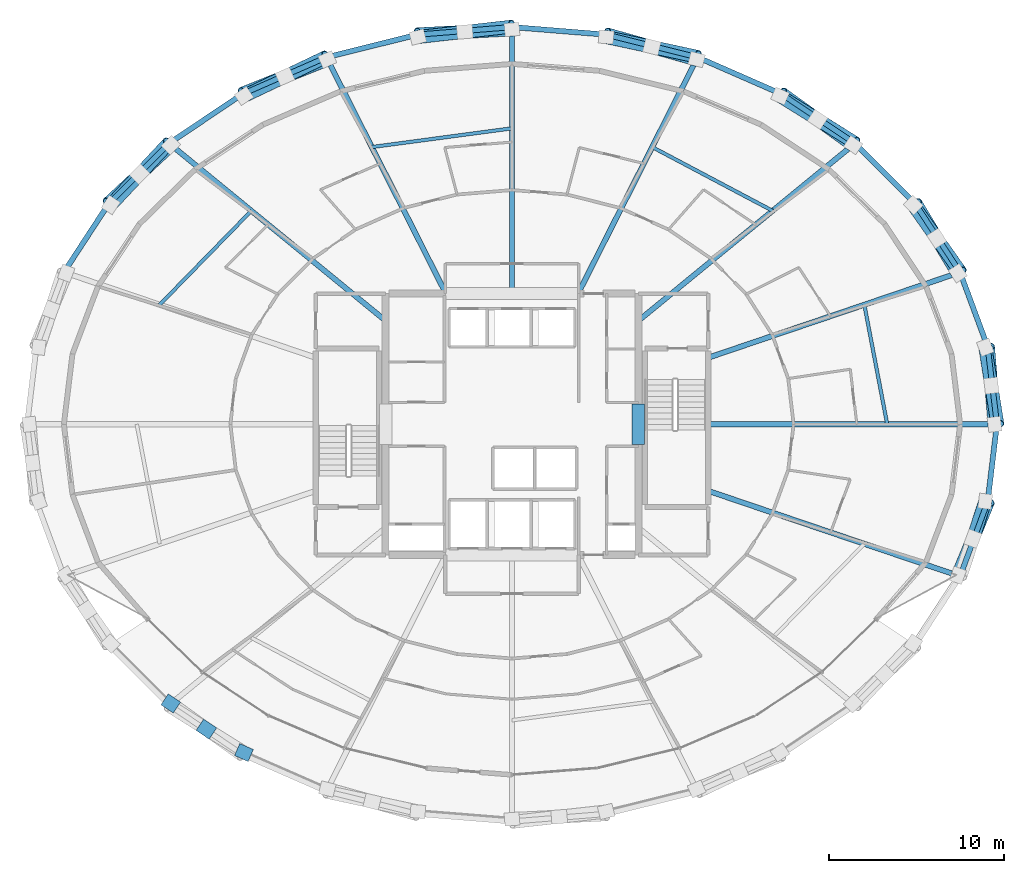
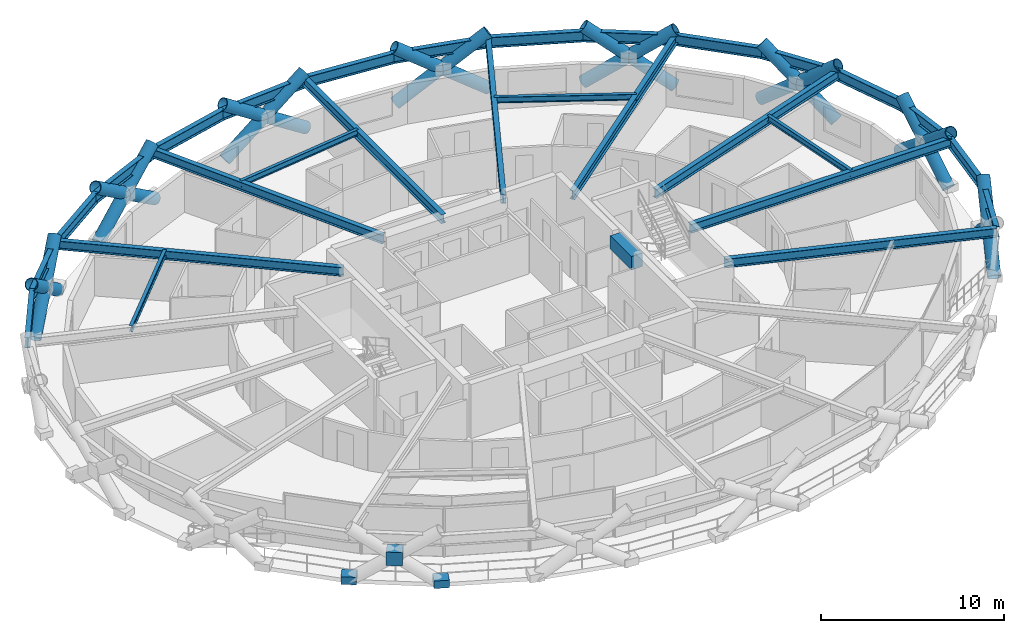
# One storey, part 9 of 17: 29 beams, 23 members, 3 plates.
"""IFC4 building model written with IfcOpenShell, lengths in metres."""

from ifc_helpers import new_model, si_unit, direction, frame, origin, origin_2d, place, context, subcontext, project, spatial, rectangle, hollow_circle, i_section, extrude, material, layer, layer_set, material_profile, profile_set, type_object, element, save


model = new_model("IFC4")

# Units and contexts
model_context = context("Model", 3, precision=1e-05, world=origin(), true_north=direction((0.0, 1.0)))
body_context = subcontext(model_context, "Body", "Model", "MODEL_VIEW")
ifc_project = project(units=[si_unit("LENGTHUNIT", "METRE"), si_unit("AREAUNIT", "SQUARE_METRE"), si_unit("VOLUMEUNIT", "CUBIC_METRE"), si_unit("PLANEANGLEUNIT", "RADIAN"), si_unit("MASSUNIT", "GRAM", prefix="KILO")], contexts=[model_context])

# Site, building, storey
site_placement = place(None, origin())
site = spatial("IfcSite", under=ifc_project, at=site_placement, CompositionType="ELEMENT")
building_placement = place(site_placement, origin())
building = spatial("IfcBuilding", under=site, at=building_placement, Name="Veldorina Hangang Commons", CompositionType="ELEMENT")
storey_placement = place(building_placement, frame((0.0, 0.0, 30.39990234375)))
storey = spatial("IfcBuildingStorey", under=building, at=storey_placement, Name="L06", CompositionType="ELEMENT", Elevation=30.39990234375)

# Beams
ifc_material_1 = material(Name="Concrete C70/85", Category="concrete")
ifc_material_profile_1 = material_profile(ifc_material_1, rectangle(XDim=0.699951171875, YDim=0.89990234375, at=origin_2d()), Name="RC-CB-700x900")
ifc_profile_set_1 = profile_set([ifc_material_profile_1], Name="Concrete C70/85")
beam_type_1 = type_object("IfcBeamType", Name="BM-CB900", PredefinedType="LINTEL", material=ifc_profile_set_1)
beam_1_placement = place(storey_placement, frame((39.199951171875, 22.85009765625, 2.89013671875), z_axis=(0.0, 1.0, 0.0), x_axis=(-1.0, 0.0, 0.0)))
element("IfcBeam", 1, at=beam_1_placement, inside=storey, type_object=beam_type_1, Name="L06 E core coupling lintel beam", PredefinedType="LINTEL", context=body_context, shape_type="SweptSolid", body=[
    extrude(rectangle(XDim=0.699951171875, YDim=0.89990234375, at=origin_2d()), origin(), (0.0, 0.0, 1.0), 2.2998046875),
])
ifc_material_2 = material(Name="Steel SM460-TMC", Category="steel")
ifc_material_profile_2 = material_profile(ifc_material_2, i_section(OverallWidth=0.300048828125, OverallDepth=0.587890625, WebThickness=0.011962890625, FlangeThickness=0.02001953125, FilletRadius=0.01806640625, at=origin_2d()), Name="H-588x300x12x20")
ifc_profile_set_2 = profile_set([ifc_material_profile_2], Name="Steel SM460-TMC")
beam_type_2 = type_object("IfcBeamType", Name="BM-FG588", PredefinedType="BEAM", material=ifc_profile_set_2)
beam_2_placement = place(storey_placement, frame((43.179931640625, 24.0, 3.046142578125), z_axis=(1.0, 0.0, 0.0), x_axis=(0.0, 1.0, 0.0)))
element("IfcBeam", 2, at=beam_2_placement, inside=storey, type_object=beam_type_2, Name="L06 radial floor girder 01", PredefinedType="BEAM", context=body_context, shape_type="SweptSolid", body=[
    extrude(i_section(OverallWidth=0.300048828125, OverallDepth=0.587890625, WebThickness=0.011962890625, FlangeThickness=0.02001953125, FilletRadius=0.01806640625, at=origin_2d()), origin(), (0.0, 0.0, 1.0), 16.45947265625),
])
beam_3_placement = place(storey_placement, frame((43.179931640625, 27.793212890625, 3.046142578125), z_axis=(0.946978700315, 0.32129634475, 0.0), x_axis=(-0.32129634475, 0.946978700315, 0.0)))
element("IfcBeam", 3, at=beam_3_placement, inside=storey, type_object=beam_type_2, Name="L06 radial floor girder 02", PredefinedType="BEAM", context=body_context, shape_type="SweptSolid", body=[
    extrude(i_section(OverallWidth=0.300048828125, OverallDepth=0.587890625, WebThickness=0.011962890625, FlangeThickness=0.02001953125, FilletRadius=0.01806640625, at=origin_2d()), origin(), (0.0, 0.0, 1.0), 15.1591796875),
])
beam_4_placement = place(storey_placement, frame((39.199951171875, 29.8974609375, 3.046142578125), z_axis=(0.773611564766, 0.633660119354, 0.0), x_axis=(-0.633660119354, 0.773611564766, 0.0)))
element("IfcBeam", 4, at=beam_4_placement, inside=storey, type_object=beam_type_2, Name="L06 radial floor girder 03", PredefinedType="BEAM", context=body_context, shape_type="SweptSolid", body=[
    extrude(i_section(OverallWidth=0.300048828125, OverallDepth=0.587890625, WebThickness=0.011962890625, FlangeThickness=0.02001953125, FilletRadius=0.01806640625, at=origin_2d()), origin(), (0.0, 0.0, 1.0), 15.95654296875),
])
beam_5_placement = place(storey_placement, frame((35.767333984375, 31.449951171875, 3.046142578125), z_axis=(0.451279589077, 0.89238261552, 0.0), x_axis=(-0.89238261552, 0.451279589077, 0.0)))
element("IfcBeam", 5, at=beam_5_placement, inside=storey, type_object=beam_type_2, Name="L06 radial floor girder 04", PredefinedType="BEAM", context=body_context, shape_type="SweptSolid", body=[
    extrude(i_section(OverallWidth=0.300048828125, OverallDepth=0.587890625, WebThickness=0.011962890625, FlangeThickness=0.02001953125, FilletRadius=0.01806640625, at=origin_2d()), origin(), (0.0, 0.0, 1.0), 15.090087890625),
])
beam_6_placement = place(storey_placement, frame((32.0, 31.449951171875, 3.046142578125), z_axis=(0.0, 1.0, 0.0), x_axis=(-1.0, 0.0, 0.0)))
element("IfcBeam", 6, at=beam_6_placement, inside=storey, type_object=beam_type_2, Name="L06 radial floor girder 05", PredefinedType="BEAM", context=body_context, shape_type="SweptSolid", body=[
    extrude(i_section(OverallWidth=0.300048828125, OverallDepth=0.587890625, WebThickness=0.011962890625, FlangeThickness=0.02001953125, FilletRadius=0.01806640625, at=origin_2d()), origin(), (0.0, 0.0, 1.0), 15.189453125),
])
beam_7_placement = place(storey_placement, frame((28.232666015625, 31.449951171875, 3.046142578125), z_axis=(-0.451279589077, 0.89238261552, 0.0), x_axis=(-0.89238261552, -0.451279589077, 0.0)))
element("IfcBeam", 7, at=beam_7_placement, inside=storey, type_object=beam_type_2, Name="L06 radial floor girder 06", PredefinedType="BEAM", context=body_context, shape_type="SweptSolid", body=[
    extrude(i_section(OverallWidth=0.300048828125, OverallDepth=0.587890625, WebThickness=0.011962890625, FlangeThickness=0.02001953125, FilletRadius=0.01806640625, at=origin_2d()), origin(), (0.0, 0.0, 1.0), 15.090087890625),
])
beam_8_placement = place(storey_placement, frame((24.800048828125, 29.8974609375, 3.046142578125), z_axis=(-0.773611564766, 0.633660119354, 0.0), x_axis=(-0.633660119354, -0.773611564766, 0.0)))
element("IfcBeam", 8, at=beam_8_placement, inside=storey, type_object=beam_type_2, Name="L06 radial floor girder 07", PredefinedType="BEAM", context=body_context, shape_type="SweptSolid", body=[
    extrude(i_section(OverallWidth=0.300048828125, OverallDepth=0.587890625, WebThickness=0.011962890625, FlangeThickness=0.02001953125, FilletRadius=0.01806640625, at=origin_2d()), origin(), (0.0, 0.0, 1.0), 15.95654296875),
])
beam_9_placement = place(storey_placement, frame((43.179931640625, 20.206787109375, 3.046142578125), z_axis=(0.946978700315, -0.32129634475, 0.0), x_axis=(0.32129634475, 0.946978700315, 0.0)))
element("IfcBeam", 9, at=beam_9_placement, inside=storey, type_object=beam_type_2, Name="L06 radial floor girder 16", PredefinedType="BEAM", context=body_context, shape_type="SweptSolid", body=[
    extrude(i_section(OverallWidth=0.300048828125, OverallDepth=0.587890625, WebThickness=0.011962890625, FlangeThickness=0.02001953125, FilletRadius=0.01806640625, at=origin_2d()), origin(), (0.0, 0.0, 1.0), 15.1591796875),
])
ifc_material_3 = material(Name="Steel SM355-TMC", Category="steel")
ifc_material_profile_3 = material_profile(ifc_material_3, i_section(OverallWidth=0.199951171875, OverallDepth=0.39990234375, WebThickness=0.008056640625, FlangeThickness=0.012939453125, FilletRadius=0.012939453125, at=origin_2d()), Name="H-400x200x8x13")
ifc_profile_set_3 = profile_set([ifc_material_profile_3], Name="Steel SM355-TMC")
beam_type_3 = type_object("IfcBeamType", Name="BM-JST400", PredefinedType="JOIST", material=ifc_profile_set_3)
beam_10_placement = place(storey_placement, frame((53.385009765625, 24.0, 3.14013671875), z_axis=(-0.188082383593, 0.982153255344, 0.0), x_axis=(-0.982153255344, -0.188082383593, 0.0)))
element("IfcBeam", 10, at=beam_10_placement, inside=storey, type_object=beam_type_3, Name="L06 secondary floor joist 01", PredefinedType="JOIST", context=body_context, shape_type="SweptSolid", body=[
    extrude(i_section(OverallWidth=0.199951171875, OverallDepth=0.39990234375, WebThickness=0.008056640625, FlangeThickness=0.012939453125, FilletRadius=0.012939453125, at=origin_2d()), origin(), (0.0, 0.0, 1.0), 6.936767578125),
])
beam_11_placement = place(storey_placement, frame((46.853271484375, 36.166259765625, 3.14013671875), z_axis=(-0.883838381395, 0.467792385116, 0.0), x_axis=(-0.467792385116, -0.883838381395, 0.0)))
element("IfcBeam", 11, at=beam_11_placement, inside=storey, type_object=beam_type_3, Name="L06 secondary floor joist 03", PredefinedType="JOIST", context=body_context, shape_type="SweptSolid", body=[
    extrude(i_section(OverallWidth=0.199951171875, OverallDepth=0.39990234375, WebThickness=0.008056640625, FlangeThickness=0.012939453125, FilletRadius=0.012939453125, at=origin_2d()), origin(), (0.0, 0.0, 1.0), 7.765869140625),
])
beam_12_placement = place(storey_placement, frame((32.0, 40.867431640625, 3.14013671875), z_axis=(-0.991177569305, -0.132540658313, 0.0), x_axis=(0.132540658313, -0.991177569305, 0.0)))
element("IfcBeam", 12, at=beam_12_placement, inside=storey, type_object=beam_type_3, Name="L06 secondary floor joist 05", PredefinedType="JOIST", context=body_context, shape_type="SweptSolid", body=[
    extrude(i_section(OverallWidth=0.199951171875, OverallDepth=0.39990234375, WebThickness=0.008056640625, FlangeThickness=0.012939453125, FilletRadius=0.012939453125, at=origin_2d()), origin(), (0.0, 0.0, 1.0), 8.060546875),
])
beam_13_placement = place(storey_placement, frame((17.146728515625, 36.166259765625, 3.14013671875), z_axis=(-0.698621455298, -0.715491482967, 0.0), x_axis=(0.715491482967, -0.698621455298, 0.0)))
element("IfcBeam", 13, at=beam_13_placement, inside=storey, type_object=beam_type_3, Name="L06 secondary floor joist 07", PredefinedType="JOIST", context=body_context, shape_type="SweptSolid", body=[
    extrude(i_section(OverallWidth=0.199951171875, OverallDepth=0.39990234375, WebThickness=0.008056640625, FlangeThickness=0.012939453125, FilletRadius=0.012939453125, at=origin_2d()), origin(), (0.0, 0.0, 1.0), 7.48193359375),
])
ifc_material_profile_4 = material_profile(ifc_material_2, i_section(OverallWidth=0.300048828125, OverallDepth=0.699951171875, WebThickness=0.012939453125, FlangeThickness=0.02392578125, FilletRadius=0.02197265625, at=origin_2d()), Name="H-700x300x13x24")
ifc_profile_set_4 = profile_set([ifc_material_profile_4], Name="Steel SM460-TMC")
beam_type_4 = type_object("IfcBeamType", Name="BM-RB700", PredefinedType="BEAM", material=ifc_profile_set_4)
beam_14_placement = place(storey_placement, frame((59.639404296875, 24.0, 2.989990234375), z_axis=(-0.119365953147, 0.992850325693, 0.0), x_axis=(-0.992850325693, -0.119365953147, 0.0)))
element("IfcBeam", 14, at=beam_14_placement, inside=storey, type_object=beam_type_4, Name="L06 perimeter hoop ring beam 00", PredefinedType="BEAM", context=body_context, shape_type="SweptSolid", body=[
    extrude(i_section(OverallWidth=0.300048828125, OverallDepth=0.699951171875, WebThickness=0.012939453125, FlangeThickness=0.02392578125, FilletRadius=0.02197265625, at=origin_2d()), origin(), (0.0, 0.0, 1.0), 4.448486328125),
])
beam_15_placement = place(storey_placement, frame((59.1083984375, 28.416748046875, 2.989990234375), z_axis=(-0.347316111506, 0.937748110469, 0.0), x_axis=(-0.937748110469, -0.347316111506, 0.0)))
element("IfcBeam", 15, at=beam_15_placement, inside=storey, type_object=beam_type_4, Name="L06 perimeter hoop ring beam 01", PredefinedType="BEAM", context=body_context, shape_type="SweptSolid", body=[
    extrude(i_section(OverallWidth=0.300048828125, OverallDepth=0.699951171875, WebThickness=0.012939453125, FlangeThickness=0.02392578125, FilletRadius=0.02197265625, at=origin_2d()), origin(), (0.0, 0.0, 1.0), 4.529052734375),
])
beam_16_placement = place(storey_placement, frame((57.535400390625, 32.663818359375, 2.989990234375), z_axis=(-0.546500399865, 0.837458842539, 0.0), x_axis=(-0.837458842539, -0.546500399865, 0.0)))
element("IfcBeam", 16, at=beam_16_placement, inside=storey, type_object=beam_type_4, Name="L06 perimeter hoop ring beam 02", PredefinedType="BEAM", context=body_context, shape_type="SweptSolid", body=[
    extrude(i_section(OverallWidth=0.300048828125, OverallDepth=0.699951171875, WebThickness=0.012939453125, FlangeThickness=0.02392578125, FilletRadius=0.02197265625, at=origin_2d()), origin(), (0.0, 0.0, 1.0), 4.673828125),
])
beam_17_placement = place(storey_placement, frame((54.981201171875, 36.577880859375, 2.989990234375), z_axis=(-0.707760043615, 0.706452914681, 0.0), x_axis=(-0.706452914681, -0.707760043615, 0.0)))
element("IfcBeam", 17, at=beam_17_placement, inside=storey, type_object=beam_type_4, Name="L06 perimeter hoop ring beam 03", PredefinedType="BEAM", context=body_context, shape_type="SweptSolid", body=[
    extrude(i_section(OverallWidth=0.300048828125, OverallDepth=0.699951171875, WebThickness=0.012939453125, FlangeThickness=0.02392578125, FilletRadius=0.02197265625, at=origin_2d()), origin(), (0.0, 0.0, 1.0), 4.856201171875),
])
beam_18_placement = place(storey_placement, frame((51.544189453125, 40.008544921875, 2.989990234375), z_axis=(-0.829930615335, 0.557866627188, 0.0), x_axis=(-0.557866627188, -0.829930615335, 0.0)))
element("IfcBeam", 18, at=beam_18_placement, inside=storey, type_object=beam_type_4, Name="L06 perimeter hoop ring beam 04", PredefinedType="BEAM", context=body_context, shape_type="SweptSolid", body=[
    extrude(i_section(OverallWidth=0.300048828125, OverallDepth=0.699951171875, WebThickness=0.012939453125, FlangeThickness=0.02392578125, FilletRadius=0.02197265625, at=origin_2d()), origin(), (0.0, 0.0, 1.0), 5.046875),
])
beam_19_placement = place(storey_placement, frame((47.355712890625, 42.823974609375, 2.989990234375), z_axis=(-0.916057410829, 0.401047154416, 0.0), x_axis=(-0.401047154416, -0.916057410829, 0.0)))
element("IfcBeam", 19, at=beam_19_placement, inside=storey, type_object=beam_type_4, Name="L06 perimeter hoop ring beam 05", PredefinedType="BEAM", context=body_context, shape_type="SweptSolid", body=[
    extrude(i_section(OverallWidth=0.300048828125, OverallDepth=0.699951171875, WebThickness=0.012939453125, FlangeThickness=0.02392578125, FilletRadius=0.02197265625, at=origin_2d()), origin(), (0.0, 0.0, 1.0), 5.216552734375),
])
beam_20_placement = place(storey_placement, frame((42.5771484375, 44.916015625, 2.989990234375), z_axis=(-0.970490932958, 0.241137614334, 0.0), x_axis=(-0.241137614334, -0.970490932958, 0.0)))
element("IfcBeam", 20, at=beam_20_placement, inside=storey, type_object=beam_type_4, Name="L06 perimeter hoop ring beam 06", PredefinedType="BEAM", context=body_context, shape_type="SweptSolid", body=[
    extrude(i_section(OverallWidth=0.300048828125, OverallDepth=0.699951171875, WebThickness=0.012939453125, FlangeThickness=0.02392578125, FilletRadius=0.02197265625, at=origin_2d()), origin(), (0.0, 0.0, 1.0), 5.3427734375),
])
for number, where, z_axis, x_axis, name in (
    (21, (37.39208984375, 46.204345703125, 2.989990234375), (-0.996760804766, 0.080423243416, 0.0), (-0.080423243416, -0.996760804766, 0.0), "L06 perimeter hoop ring beam 07"),
    (22, (32.0, 46.639404296875, 2.989990234375), (-0.996760804766, -0.080423243416, 0.0), (0.080423243416, -0.996760804766, 0.0), "L06 perimeter hoop ring beam 08"),
):
    element("IfcBeam", number, at=place(storey_placement, frame(where, z_axis=z_axis, x_axis=x_axis)), inside=storey, type_object=beam_type_4, Name=name, PredefinedType="BEAM", context=body_context, shape_type="SweptSolid", body=[
        extrude(i_section(OverallWidth=0.300048828125, OverallDepth=0.699951171875, WebThickness=0.012939453125, FlangeThickness=0.02392578125, FilletRadius=0.02197265625, at=origin_2d()), origin(), (0.0, 0.0, 1.0), 5.40966796875),
    ])
beam_21_placement = place(storey_placement, frame((26.60791015625, 46.204345703125, 2.989990234375), z_axis=(-0.970490932958, -0.241137614334, 0.0), x_axis=(0.241137614334, -0.970490932958, 0.0)))
element("IfcBeam", 23, at=beam_21_placement, inside=storey, type_object=beam_type_4, Name="L06 perimeter hoop ring beam 09", PredefinedType="BEAM", context=body_context, shape_type="SweptSolid", body=[
    extrude(i_section(OverallWidth=0.300048828125, OverallDepth=0.699951171875, WebThickness=0.012939453125, FlangeThickness=0.02392578125, FilletRadius=0.02197265625, at=origin_2d()), origin(), (0.0, 0.0, 1.0), 5.3427734375),
])
beam_22_placement = place(storey_placement, frame((21.4228515625, 44.916015625, 2.989990234375), z_axis=(-0.916057410829, -0.401047154416, 0.0), x_axis=(0.401047154416, -0.916057410829, 0.0)))
element("IfcBeam", 24, at=beam_22_placement, inside=storey, type_object=beam_type_4, Name="L06 perimeter hoop ring beam 10", PredefinedType="BEAM", context=body_context, shape_type="SweptSolid", body=[
    extrude(i_section(OverallWidth=0.300048828125, OverallDepth=0.699951171875, WebThickness=0.012939453125, FlangeThickness=0.02392578125, FilletRadius=0.02197265625, at=origin_2d()), origin(), (0.0, 0.0, 1.0), 5.216552734375),
])
beam_23_placement = place(storey_placement, frame((16.644287109375, 42.823974609375, 2.989990234375), z_axis=(-0.829930615335, -0.557866627188, 0.0), x_axis=(0.557866627188, -0.829930615335, 0.0)))
element("IfcBeam", 25, at=beam_23_placement, inside=storey, type_object=beam_type_4, Name="L06 perimeter hoop ring beam 11", PredefinedType="BEAM", context=body_context, shape_type="SweptSolid", body=[
    extrude(i_section(OverallWidth=0.300048828125, OverallDepth=0.699951171875, WebThickness=0.012939453125, FlangeThickness=0.02392578125, FilletRadius=0.02197265625, at=origin_2d()), origin(), (0.0, 0.0, 1.0), 5.046875),
])
beam_24_placement = place(storey_placement, frame((12.455810546875, 40.008544921875, 2.989990234375), z_axis=(-0.707760043615, -0.706452914681, 0.0), x_axis=(0.706452914681, -0.707760043615, 0.0)))
element("IfcBeam", 26, at=beam_24_placement, inside=storey, type_object=beam_type_4, Name="L06 perimeter hoop ring beam 12", PredefinedType="BEAM", context=body_context, shape_type="SweptSolid", body=[
    extrude(i_section(OverallWidth=0.300048828125, OverallDepth=0.699951171875, WebThickness=0.012939453125, FlangeThickness=0.02392578125, FilletRadius=0.02197265625, at=origin_2d()), origin(), (0.0, 0.0, 1.0), 4.856201171875),
])
beam_25_placement = place(storey_placement, frame((9.018798828125, 36.577880859375, 2.989990234375), z_axis=(-0.546500399865, -0.837458842539, 0.0), x_axis=(0.837458842539, -0.546500399865, 0.0)))
element("IfcBeam", 27, at=beam_25_placement, inside=storey, type_object=beam_type_4, Name="L06 perimeter hoop ring beam 13", PredefinedType="BEAM", context=body_context, shape_type="SweptSolid", body=[
    extrude(i_section(OverallWidth=0.300048828125, OverallDepth=0.699951171875, WebThickness=0.012939453125, FlangeThickness=0.02392578125, FilletRadius=0.02197265625, at=origin_2d()), origin(), (0.0, 0.0, 1.0), 4.673828125),
])
beam_26_placement = place(storey_placement, frame((57.535400390625, 15.336181640625, 2.989990234375), z_axis=(0.347316111506, 0.937748110469, 0.0), x_axis=(-0.937748110469, 0.347316111506, 0.0)))
element("IfcBeam", 28, at=beam_26_placement, inside=storey, type_object=beam_type_4, Name="L06 perimeter hoop ring beam 30", PredefinedType="BEAM", context=body_context, shape_type="SweptSolid", body=[
    extrude(i_section(OverallWidth=0.300048828125, OverallDepth=0.699951171875, WebThickness=0.012939453125, FlangeThickness=0.02392578125, FilletRadius=0.02197265625, at=origin_2d()), origin(), (0.0, 0.0, 1.0), 4.529052734375),
])
beam_27_placement = place(storey_placement, frame((59.1083984375, 19.583251953125, 2.989990234375), z_axis=(0.119365953147, 0.992850325693, 0.0), x_axis=(-0.992850325693, 0.119365953147, 0.0)))
element("IfcBeam", 29, at=beam_27_placement, inside=storey, type_object=beam_type_4, Name="L06 perimeter hoop ring beam 31", PredefinedType="BEAM", context=body_context, shape_type="SweptSolid", body=[
    extrude(i_section(OverallWidth=0.300048828125, OverallDepth=0.699951171875, WebThickness=0.012939453125, FlangeThickness=0.02392578125, FilletRadius=0.02197265625, at=origin_2d()), origin(), (0.0, 0.0, 1.0), 4.448486328125),
])

# Members
ifc_material_profile_5 = material_profile(ifc_material_2, hollow_circle(Radius=0.375, WallThickness=0.035888671875, at=origin_2d()), Name="CHS-750x36")
ifc_profile_set_5 = profile_set([ifc_material_profile_5], Name="Steel SM460-TMC")
member_type = type_object("IfcMemberType", Name="DG-CHS750", PredefinedType="BRACE", material=ifc_profile_set_5)
member_1_placement = place(storey_placement, frame((59.5, 24.0, 0.0), z_axis=(-0.063662332065, 0.773945961756, 0.630043455452), x_axis=(-0.996633979688, -0.081979939811, 0.0)))
element("IfcMember", 30, at=member_1_placement, inside=storey, type_object=member_type, Name="L06 continuous perimeter diagrid brace 00", PredefinedType="BRACE", context=body_context, shape_type="SweptSolid", body=[
    extrude(hollow_circle(Radius=0.375, WallThickness=0.035888671875, at=origin_2d()), origin(), (0.0, 0.0, 1.0), 5.714111328125),
])
member_2_placement = place(storey_placement, frame((58.9716796875, 28.389404296875, 0.0), z_axis=(0.121847841706, -0.767418614851, 0.629461494495), x_axis=(0.987628481101, 0.156811936146, 0.0)))
element("IfcMember", 31, at=member_2_placement, inside=storey, type_object=member_type, Name="L06 split perimeter diagrid lower brace 01", PredefinedType="BRACE", context=body_context, shape_type="SweptSolid", body=[
    extrude(hollow_circle(Radius=0.375, WallThickness=0.035888671875, at=origin_2d()), origin(), (0.0, 0.0, 1.0), 2.84912109375),
])
member_3_placement = place(storey_placement, frame((59.31884765625, 26.202880859375, 1.79345703125), z_axis=(0.121633020091, -0.76747883936, 0.629429614459), x_axis=(0.9876731619, 0.15653026948, 0.0)))
element("IfcMember", 32, at=member_3_placement, inside=storey, type_object=member_type, Name="L06 split perimeter diagrid upper brace 01", PredefinedType="BRACE", context=body_context, shape_type="SweptSolid", body=[
    extrude(hollow_circle(Radius=0.375, WallThickness=0.035888671875, at=origin_2d()), origin(), (0.0, 0.0, 1.0), 2.870361328125),
])
member_4_placement = place(storey_placement, frame((57.40673828125, 32.6103515625, 0.0), z_axis=(-0.408356413307, 0.67720419629, 0.612078031167), x_axis=(-0.85635615413, -0.516385647829, 0.0)))
element("IfcMember", 33, at=member_4_placement, inside=storey, type_object=member_type, Name="L06 continuous perimeter diagrid brace 02", PredefinedType="BRACE", context=body_context, shape_type="SweptSolid", body=[
    extrude(hollow_circle(Radius=0.375, WallThickness=0.035888671875, at=origin_2d()), origin(), (0.0, 0.0, 1.0), 5.8818359375),
])
member_5_placement = place(storey_placement, frame((54.865478515625, 36.500244140625, 0.0), z_axis=(0.457069641697, -0.647598308606, 0.609675137536), x_axis=(0.817002677932, 0.576633873661, 0.0)))
element("IfcMember", 34, at=member_5_placement, inside=storey, type_object=member_type, Name="L06 split perimeter diagrid lower brace 03", PredefinedType="BRACE", context=body_context, shape_type="SweptSolid", body=[
    extrude(hollow_circle(Radius=0.375, WallThickness=0.035888671875, at=origin_2d()), origin(), (0.0, 0.0, 1.0), 2.942138671875),
])
member_6_placement = place(storey_placement, frame((56.210205078125, 34.594970703125, 1.793701171875), z_axis=(0.456188326781, -0.648189555357, 0.609706905681), x_axis=(0.81777379837, 0.575539759443, 0.0)))
element("IfcMember", 35, at=member_6_placement, inside=storey, type_object=member_type, Name="L06 split perimeter diagrid upper brace 03", PredefinedType="BRACE", context=body_context, shape_type="SweptSolid", body=[
    extrude(hollow_circle(Radius=0.375, WallThickness=0.035888671875, at=origin_2d()), origin(), (0.0, 0.0, 1.0), 2.962646484375),
])
member_7_placement = place(storey_placement, frame((51.4453125, 39.909912109375, 0.0), z_axis=(-0.659232130525, 0.475400948496, 0.582586419557), x_axis=(-0.584915377594, -0.811094323155, 0.0)))
element("IfcMember", 36, at=member_7_placement, inside=storey, type_object=member_type, Name="L06 continuous perimeter diagrid brace 04", PredefinedType="BRACE", context=body_context, shape_type="SweptSolid", body=[
    extrude(hollow_circle(Radius=0.375, WallThickness=0.035888671875, at=origin_2d()), origin(), (0.0, 0.0, 1.0), 6.179443359375),
])
member_8_placement = place(storey_placement, frame((47.2783203125, 42.7080078125, 0.0), z_axis=(0.690912582279, -0.431346703562, 0.580155000819), x_axis=(0.529580696123, 0.848259563043, 0.0)))
element("IfcMember", 37, at=member_8_placement, inside=storey, type_object=member_type, Name="L06 split perimeter diagrid lower brace 05", PredefinedType="BRACE", context=body_context, shape_type="SweptSolid", body=[
    extrude(hollow_circle(Radius=0.375, WallThickness=0.035888671875, at=origin_2d()), origin(), (0.0, 0.0, 1.0), 3.092529296875),
])
member_9_placement = place(storey_placement, frame((49.4150390625, 41.3740234375, 1.794189453125), z_axis=(0.690395191587, -0.432212643512, 0.580126460544), x_axis=(0.530630600317, 0.847603189002, 0.0)))
element("IfcMember", 38, at=member_9_placement, inside=storey, type_object=member_type, Name="L06 split perimeter diagrid upper brace 05", PredefinedType="BRACE", context=body_context, shape_type="SweptSolid", body=[
    extrude(hollow_circle(Radius=0.375, WallThickness=0.035888671875, at=origin_2d()), origin(), (0.0, 0.0, 1.0), 3.113037109375),
])
member_10_placement = place(storey_placement, frame((42.523681640625, 44.787353515625, 0.0), z_axis=(-0.797393129927, 0.224793767195, 0.560028533716), x_axis=(-0.271334950511, -0.962484984107, 0.0)))
element("IfcMember", 39, at=member_10_placement, inside=storey, type_object=member_type, Name="L06 continuous perimeter diagrid brace 06", PredefinedType="BRACE", context=body_context, shape_type="SweptSolid", body=[
    extrude(hollow_circle(Radius=0.375, WallThickness=0.035888671875, at=origin_2d()), origin(), (0.0, 0.0, 1.0), 6.428466796875),
])
member_11_placement = place(storey_placement, frame((37.364990234375, 46.067626953125, 0.0), z_axis=(0.810720796511, -0.17439924111, 0.558853017175), x_axis=(0.210305364179, 0.977635746993, 0.0)))
element("IfcMember", 40, at=member_11_placement, inside=storey, type_object=member_type, Name="L06 split perimeter diagrid lower brace 07", PredefinedType="BRACE", context=body_context, shape_type="SweptSolid", body=[
    extrude(hollow_circle(Radius=0.375, WallThickness=0.035888671875, at=origin_2d()), origin(), (0.0, 0.0, 1.0), 3.21142578125),
])
member_12_placement = place(storey_placement, frame((39.968505859375, 45.507568359375, 1.794677734375), z_axis=(0.810673318207, -0.174919259171, 0.55875936137), x_axis=(0.210916394997, 0.977504104504, 0.0)))
element("IfcMember", 41, at=member_12_placement, inside=storey, type_object=member_type, Name="L06 split perimeter diagrid upper brace 07", PredefinedType="BRACE", context=body_context, shape_type="SweptSolid", body=[
    extrude(hollow_circle(Radius=0.375, WallThickness=0.035888671875, at=origin_2d()), origin(), (0.0, 0.0, 1.0), 3.231201171875),
])
member_13_placement = place(storey_placement, frame((32.0, 46.5, 0.0), z_axis=(-0.831227906586, -0.04120610546, 0.554402583134), x_axis=(0.049511773481, -0.998773540041, 0.0)))
element("IfcMember", 42, at=member_13_placement, inside=storey, type_object=member_type, Name="L06 continuous perimeter diagrid brace 08", PredefinedType="BRACE", context=body_context, shape_type="SweptSolid", body=[
    extrude(hollow_circle(Radius=0.375, WallThickness=0.035888671875, at=origin_2d()), origin(), (0.0, 0.0, 1.0), 6.49365234375),
])
member_14_placement = place(storey_placement, frame((26.635009765625, 46.067626953125, 0.0), z_axis=(0.826798359285, 0.092461930813, 0.554847064004), x_axis=(-0.111138491626, 0.993804928383, 0.0)))
element("IfcMember", 43, at=member_14_placement, inside=storey, type_object=member_type, Name="L06 split perimeter diagrid lower brace 09", PredefinedType="BRACE", context=body_context, shape_type="SweptSolid", body=[
    extrude(hollow_circle(Radius=0.375, WallThickness=0.035888671875, at=origin_2d()), origin(), (0.0, 0.0, 1.0), 3.234619140625),
])
member_15_placement = place(storey_placement, frame((29.309326171875, 46.36669921875, 1.794677734375), z_axis=(0.826822826123, 0.09257774861, 0.554791289282), x_axis=(-0.111272728933, 0.993789907272, 0.0)))
element("IfcMember", 44, at=member_15_placement, inside=storey, type_object=member_type, Name="L06 split perimeter diagrid upper brace 09", PredefinedType="BRACE", context=body_context, shape_type="SweptSolid", body=[
    extrude(hollow_circle(Radius=0.375, WallThickness=0.035888671875, at=origin_2d()), origin(), (0.0, 0.0, 1.0), 3.254150390625),
])
member_16_placement = place(storey_placement, frame((21.476318359375, 44.787353515625, 0.0), z_axis=(-0.764371034171, -0.305833099989, 0.567629313083), x_axis=(0.371479350532, -0.928441216302, 0.0)))
element("IfcMember", 45, at=member_16_placement, inside=storey, type_object=member_type, Name="L06 continuous perimeter diagrid brace 10", PredefinedType="BRACE", context=body_context, shape_type="SweptSolid", body=[
    extrude(hollow_circle(Radius=0.375, WallThickness=0.035888671875, at=origin_2d()), origin(), (0.0, 0.0, 1.0), 6.34228515625),
])
member_17_placement = place(storey_placement, frame((16.7216796875, 42.7080078125, 0.0), z_axis=(0.742220117217, 0.353131872432, 0.569567536181), x_axis=(-0.429629806613, 0.903005110323, 0.0)))
element("IfcMember", 46, at=member_17_placement, inside=storey, type_object=member_type, Name="L06 split perimeter diagrid lower brace 11", PredefinedType="BRACE", context=body_context, shape_type="SweptSolid", body=[
    extrude(hollow_circle(Radius=0.375, WallThickness=0.035888671875, at=origin_2d()), origin(), (0.0, 0.0, 1.0), 3.150634765625),
])
member_18_placement = place(storey_placement, frame((19.06005859375, 43.820556640625, 1.79443359375), z_axis=(0.741892141946, 0.353850362491, 0.569548918604), x_axis=(-0.430497184259, 0.902591920164, 0.0)))
element("IfcMember", 47, at=member_18_placement, inside=storey, type_object=member_type, Name="L06 split perimeter diagrid upper brace 11", PredefinedType="BRACE", context=body_context, shape_type="SweptSolid", body=[
    extrude(hollow_circle(Radius=0.375, WallThickness=0.035888671875, at=origin_2d()), origin(), (0.0, 0.0, 1.0), 3.17041015625),
])
member_19_placement = place(storey_placement, frame((12.5546875, 39.909912109375, 0.0), z_axis=(-0.588139483402, -0.547962053672, 0.594835721691), x_axis=(0.681674319363, -0.731655740305, 0.0)))
element("IfcMember", 48, at=member_19_placement, inside=storey, type_object=member_type, Name="L06 continuous perimeter diagrid brace 12", PredefinedType="BRACE", context=body_context, shape_type="SweptSolid", body=[
    extrude(hollow_circle(Radius=0.375, WallThickness=0.035888671875, at=origin_2d()), origin(), (0.0, 0.0, 1.0), 6.05224609375),
])
member_20_placement = place(storey_placement, frame((9.134521484375, 36.500244140625, 0.0), z_axis=(0.548269437459, 0.585183915378, 0.59746163821), x_axis=(-0.729749026232, 0.683715115171, 0.0)))
element("IfcMember", 49, at=member_20_placement, inside=storey, type_object=member_type, Name="L06 split perimeter diagrid lower brace 13", PredefinedType="BRACE", context=body_context, shape_type="SweptSolid", body=[
    extrude(hollow_circle(Radius=0.375, WallThickness=0.035888671875, at=origin_2d()), origin(), (0.0, 0.0, 1.0), 3.002685546875),
])
member_21_placement = place(storey_placement, frame((10.78076171875, 38.25732421875, 1.7939453125), z_axis=(0.547476958933, 0.585919064325, 0.597467848088), x_axis=(-0.730670003781, 0.682730800225, 0.0)))
element("IfcMember", 50, at=member_21_placement, inside=storey, type_object=member_type, Name="L06 split perimeter diagrid upper brace 13", PredefinedType="BRACE", context=body_context, shape_type="SweptSolid", body=[
    extrude(hollow_circle(Radius=0.375, WallThickness=0.035888671875, at=origin_2d()), origin(), (0.0, 0.0, 1.0), 3.02294921875),
])
member_22_placement = place(storey_placement, frame((57.40673828125, 15.3896484375, 0.0), z_axis=(0.298850474073, 0.723670388516, 0.622084851874), x_axis=(-0.924287049223, 0.381698114533, 0.0)))
element("IfcMember", 51, at=member_22_placement, inside=storey, type_object=member_type, Name="L06 continuous perimeter diagrid brace 30", PredefinedType="BRACE", context=body_context, shape_type="SweptSolid", body=[
    extrude(hollow_circle(Radius=0.375, WallThickness=0.035888671875, at=origin_2d()), origin(), (0.0, 0.0, 1.0), 5.787109375),
])
member_23_placement = place(storey_placement, frame((58.9716796875, 19.610595703125, 0.0), z_axis=(-0.244610941935, -0.742323313202, 0.623796109127), x_axis=(0.949764014074, -0.31296695923, 0.0)))
element("IfcMember", 52, at=member_23_placement, inside=storey, type_object=member_type, Name="L06 split perimeter diagrid lower brace 31", PredefinedType="BRACE", context=body_context, shape_type="SweptSolid", body=[
    extrude(hollow_circle(Radius=0.375, WallThickness=0.035888671875, at=origin_2d()), origin(), (0.0, 0.0, 1.0), 2.87548828125),
])

# Plates
ifc_layer = layer(ifc_material_2, 0.035888671875)
ifc_layer_set = layer_set([ifc_layer], Name="Steel SM460-TMC")
plate_type = type_object("IfcPlateType", Name="PL-STAR-36", PredefinedType="USERDEFINED", material=ifc_layer_set)
plate_1_placement = place(storey_placement, frame((12.5546875, 8.090087890625, -0.08984375), z_axis=(0.0, 0.0, 1.0), x_axis=(0.830197194737, -0.557469835821, 0.0)))
element("IfcPlate", 53, at=plate_1_placement, inside=storey, type_object=plate_type, Name="L06 diagrid star-node gusset plate 20", ObjectType="GUSSET PLATE", PredefinedType="USERDEFINED", context=body_context, shape_type="SweptSolid", body=[
    extrude(rectangle(XDim=0.85009765625, YDim=0.75, at=origin_2d()), origin(), (0.0, 0.0, 1.0), 0.5),
])
plate_2_placement = place(storey_placement, frame((14.5849609375, 6.6259765625, 1.34423828125), z_axis=(0.0, 0.0, 1.0), x_axis=(0.830197194737, -0.557469835821, 0.0)))
element("IfcPlate", 54, at=plate_2_placement, inside=storey, type_object=plate_type, Name="L06 diagrid X-crossing star-node gusset plate 20", ObjectType="GUSSET PLATE", PredefinedType="USERDEFINED", context=body_context, shape_type="SweptSolid", body=[
    extrude(rectangle(XDim=0.89990234375, YDim=0.780029296875, at=origin_2d()), origin(), (0.0, 0.0, 1.0), 0.89990234375),
])
plate_3_placement = place(storey_placement, frame((16.7216796875, 5.2919921875, -0.08984375), z_axis=(0.0, 0.0, 1.0), x_axis=(0.916215932431, -0.400684870141, 0.0)))
element("IfcPlate", 55, at=plate_3_placement, inside=storey, type_object=plate_type, Name="L06 diagrid star-node gusset plate 21", ObjectType="GUSSET PLATE", PredefinedType="USERDEFINED", context=body_context, shape_type="SweptSolid", body=[
    extrude(rectangle(XDim=0.85009765625, YDim=0.75, at=origin_2d()), origin(), (0.0, 0.0, 1.0), 0.5),
])

save(model, "model.ifc")
